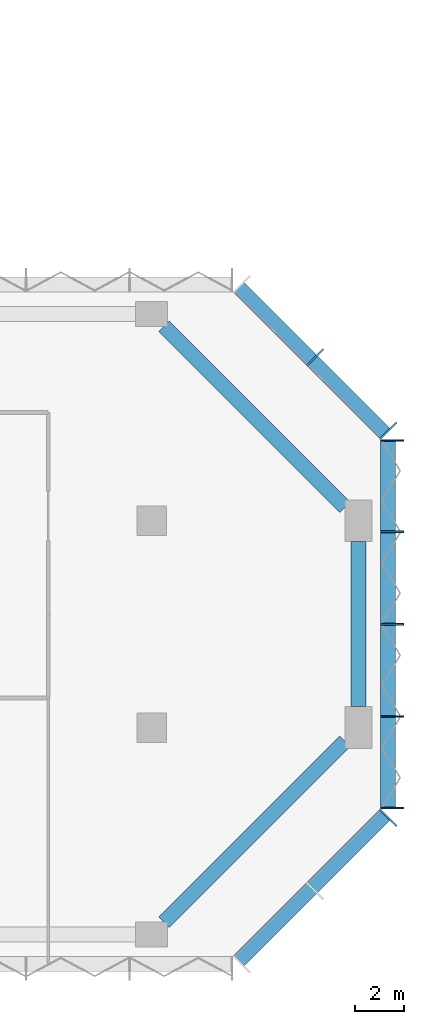
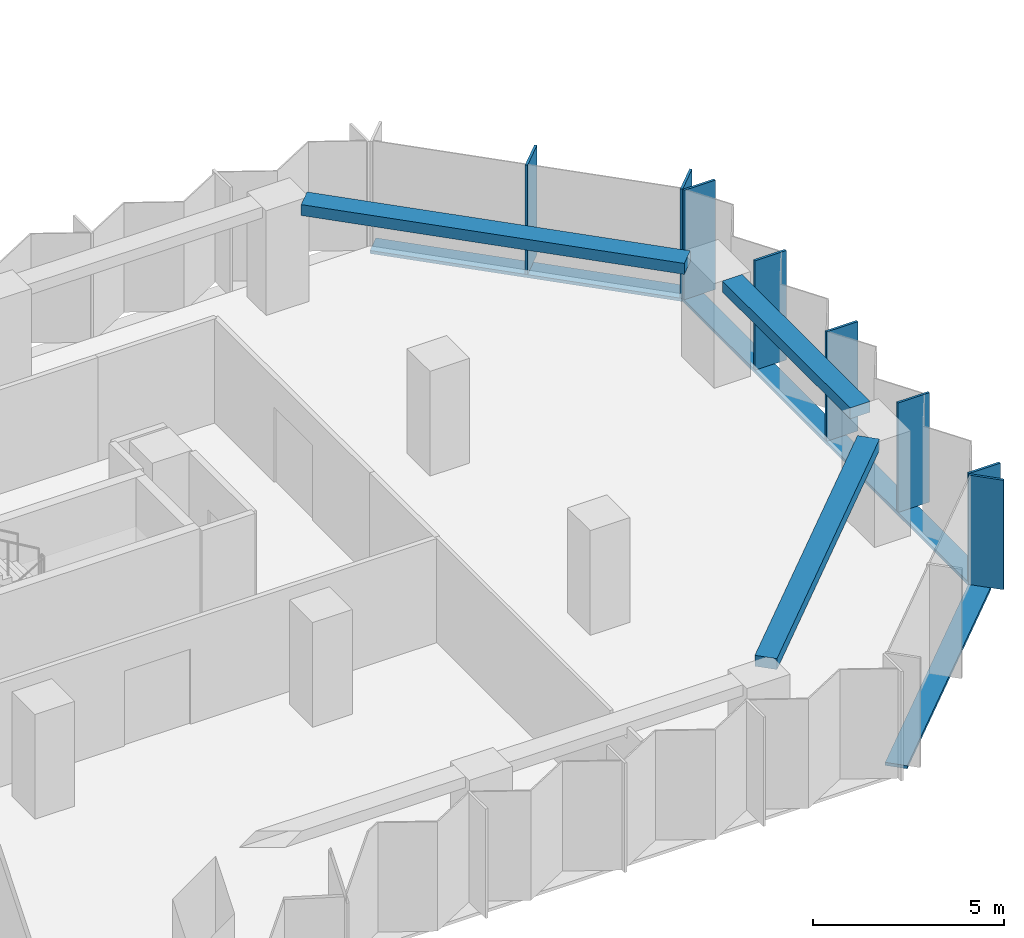
# One storey, part 4 of 13: 11 members, 3 beams, 3 elements without a shape of their own.
"""IFC4 building model written with IfcOpenShell, lengths in metres."""

from ifc_helpers import new_model, si_unit, direction, frame, origin, origin_2d, place, context, subcontext, project, spatial, rectangle, extrude, material, material_profile, profile_set, type_object, element, aggregate, save


model = new_model("IFC4")

# Units and contexts
model_context = context("Model", 3, precision=1e-05, world=origin(), true_north=direction((0.0, 1.0)))
body_context = subcontext(model_context, "Body", "Model", "MODEL_VIEW")
ifc_project = project(units=[si_unit("LENGTHUNIT", "METRE"), si_unit("AREAUNIT", "SQUARE_METRE"), si_unit("VOLUMEUNIT", "CUBIC_METRE"), si_unit("PLANEANGLEUNIT", "RADIAN"), si_unit("MASSUNIT", "GRAM", prefix="KILO")], contexts=[model_context])

# Site, building, storey
site_placement = place(None, origin())
site = spatial("IfcSite", under=ifc_project, at=site_placement, CompositionType="ELEMENT")
building_placement = place(site_placement, origin())
building = spatial("IfcBuilding", under=site, at=building_placement, Name="Brevane Broadcast Tower", CompositionType="ELEMENT")
storey_placement = place(building_placement, frame((0.0, 0.0, 98.89990234375)))
storey = spatial("IfcBuildingStorey", under=building, at=storey_placement, Name="L23", CompositionType="ELEMENT", Elevation=98.89990234375)

# Curtain wall, member
ifc_material_1 = material(Name="Aluminium 6063-T6 bronze anodised", Category="aluminium")
curtain_wall_type = type_object("IfcCurtainWallType", Name="CW-1 curtain wall", PredefinedType="NOTDEFINED", material=ifc_material_1)
curtain_wall_1_placement = place(storey_placement, origin())
curtain_wall_1 = element("IfcCurtainWall", 1, at=curtain_wall_1_placement, inside=storey, type_object=curtain_wall_type, Name="CW-1 typical tilted unit L23 south-east chamfer", PredefinedType="NOTDEFINED")
ifc_material_profile_1 = material_profile(ifc_material_1, rectangle(XDim=0.949951171875, YDim=0.070068359375, at=origin_2d()), Name="RECT 70x950")
ifc_profile_set_1 = profile_set([ifc_material_profile_1], Name="Aluminium 6063-T6 bronze anodised")
member_type_1 = type_object("IfcMemberType", Name="CW-1 mullion 70x950", PredefinedType="MULLION", material=ifc_profile_set_1)
member_1_placement = place(storey_placement, frame((68.4111328125, 4.7392578125, -0.14990234375), z_axis=(0.0, 0.0, 1.0), x_axis=(-0.707106781187, 0.707106781187, 0.0)))
member_1 = element("IfcMember", 2, at=member_1_placement, type_object=member_type_1, Name="CW-1 mullion", PredefinedType="MULLION", context=body_context, shape_type="SweptSolid", body=[
    extrude(rectangle(XDim=0.949951171875, YDim=0.070068359375, at=origin_2d()), origin(), (0.0, 0.0, 1.0), 3.5),
])

# Curtain wall, members
curtain_wall_2_placement = place(storey_placement, origin())
curtain_wall_2 = element("IfcCurtainWall", 3, at=curtain_wall_2_placement, inside=storey, type_object=curtain_wall_type, Name="CW-1 typical tilted unit L23 east end", PredefinedType="NOTDEFINED")
member_2_placement = place(storey_placement, frame((68.574951171875, 5.135009765625, -0.14990234375), z_axis=(0.0, 0.0, 1.0), x_axis=(-1.0, 0.0, 0.0)))
member_2 = element("IfcMember", 4, at=member_2_placement, type_object=member_type_1, Name="CW-1 mullion", PredefinedType="MULLION", context=body_context, shape_type="SweptSolid", body=[
    extrude(rectangle(XDim=0.949951171875, YDim=0.070068359375, at=origin_2d()), origin(), (0.0, 0.0, 1.0), 3.5),
])
member_3_placement = place(storey_placement, frame((68.574951171875, 8.85009765625, -0.14990234375), z_axis=(0.0, 0.0, 1.0), x_axis=(-1.0, 0.0, 0.0)))
member_3 = element("IfcMember", 5, at=member_3_placement, type_object=member_type_1, Name="CW-1 mullion", PredefinedType="MULLION", context=body_context, shape_type="SweptSolid", body=[
    extrude(rectangle(XDim=0.949951171875, YDim=0.070068359375, at=origin_2d()), origin(), (0.0, 0.0, 1.0), 3.5),
])
member_4_placement = place(storey_placement, frame((68.574951171875, 12.60009765625, -0.14990234375), z_axis=(0.0, 0.0, 1.0), x_axis=(-1.0, 0.0, 0.0)))
member_4 = element("IfcMember", 6, at=member_4_placement, type_object=member_type_1, Name="CW-1 mullion", PredefinedType="MULLION", context=body_context, shape_type="SweptSolid", body=[
    extrude(rectangle(XDim=0.949951171875, YDim=0.070068359375, at=origin_2d()), origin(), (0.0, 0.0, 1.0), 3.5),
])
member_5_placement = place(storey_placement, frame((68.574951171875, 16.35009765625, -0.14990234375), z_axis=(0.0, 0.0, 1.0), x_axis=(-1.0, 0.0, 0.0)))
member_5 = element("IfcMember", 7, at=member_5_placement, type_object=member_type_1, Name="CW-1 mullion", PredefinedType="MULLION", context=body_context, shape_type="SweptSolid", body=[
    extrude(rectangle(XDim=0.949951171875, YDim=0.070068359375, at=origin_2d()), origin(), (0.0, 0.0, 1.0), 3.5),
])
member_6_placement = place(storey_placement, frame((68.574951171875, 20.06494140625, -0.14990234375), z_axis=(0.0, 0.0, 1.0), x_axis=(-1.0, 0.0, 0.0)))
member_6 = element("IfcMember", 8, at=member_6_placement, type_object=member_type_1, Name="CW-1 mullion", PredefinedType="MULLION", context=body_context, shape_type="SweptSolid", body=[
    extrude(rectangle(XDim=0.949951171875, YDim=0.070068359375, at=origin_2d()), origin(), (0.0, 0.0, 1.0), 3.5),
])

curtain_wall_3_placement = place(storey_placement, origin())
curtain_wall_3 = element("IfcCurtainWall", 9, at=curtain_wall_3_placement, inside=storey, type_object=curtain_wall_type, Name="CW-1 typical tilted unit L23 north-east chamfer", PredefinedType="NOTDEFINED")
member_7_placement = place(storey_placement, frame((68.4111328125, 20.460693359375, -0.14990234375), z_axis=(0.0, 0.0, 1.0), x_axis=(-0.707106781187, -0.707106781187, 0.0)))
member_7 = element("IfcMember", 10, at=member_7_placement, type_object=member_type_1, Name="CW-1 mullion", PredefinedType="MULLION", context=body_context, shape_type="SweptSolid", body=[
    extrude(rectangle(XDim=0.949951171875, YDim=0.070068359375, at=origin_2d()), origin(), (0.0, 0.0, 1.0), 3.5),
])
member_8_placement = place(storey_placement, frame((65.435791015625, 23.435791015625, -0.14990234375), z_axis=(0.0, 0.0, 1.0), x_axis=(-0.707106781187, -0.707106781187, 0.0)))
member_8 = element("IfcMember", 11, at=member_8_placement, type_object=member_type_1, Name="CW-1 mullion", PredefinedType="MULLION", context=body_context, shape_type="SweptSolid", body=[
    extrude(rectangle(XDim=0.949951171875, YDim=0.070068359375, at=origin_2d()), origin(), (0.0, 0.0, 1.0), 3.5),
])

# Member
ifc_material_profile_2 = material_profile(ifc_material_1, rectangle(XDim=0.60009765625, YDim=0.10009765625, at=origin_2d()), Name="RECT 100x600")
ifc_profile_set_2 = profile_set([ifc_material_profile_2], Name="Aluminium 6063-T6 bronze anodised")
member_type_2 = type_object("IfcMemberType", Name="CW-1 transom 100x600", PredefinedType="USERDEFINED", material=ifc_profile_set_2)
member_9_placement = place(storey_placement, frame((62.31201171875, -1.112060546875, -0.199951171875), z_axis=(0.707106781187, 0.707106781187, 0.0), x_axis=(-0.707106781187, 0.707106781187, 0.0)))
member_9 = element("IfcMember", 12, at=member_9_placement, type_object=member_type_2, Name="CW-1 transom", ObjectType="TRANSOM", PredefinedType="USERDEFINED", context=body_context, shape_type="SweptSolid", body=[
    extrude(rectangle(XDim=0.60009765625, YDim=0.10009765625, at=origin_2d()), origin(), (0.0, 0.0, 1.0), 8.4853515625),
])

aggregate(curtain_wall_1, [member_1, member_9])

member_10_placement = place(storey_placement, frame((68.39990234375, 5.10009765625, -0.199951171875), z_axis=(0.0, 1.0, 0.0), x_axis=(-1.0, 0.0, 0.0)))
member_10 = element("IfcMember", 13, at=member_10_placement, type_object=member_type_2, Name="CW-1 transom", ObjectType="TRANSOM", PredefinedType="USERDEFINED", context=body_context, shape_type="SweptSolid", body=[
    extrude(rectangle(XDim=0.60009765625, YDim=0.10009765625, at=origin_2d()), origin(), (0.0, 0.0, 1.0), 15.0),
])

aggregate(curtain_wall_2, [member_2, member_3, member_4, member_5, member_6, member_10])

member_11_placement = place(storey_placement, frame((68.31201171875, 20.31201171875, -0.199951171875), z_axis=(-0.707106781187, 0.707106781187, 0.0), x_axis=(-0.707106781187, -0.707106781187, 0.0)))
member_11 = element("IfcMember", 14, at=member_11_placement, type_object=member_type_2, Name="CW-1 transom", ObjectType="TRANSOM", PredefinedType="USERDEFINED", context=body_context, shape_type="SweptSolid", body=[
    extrude(rectangle(XDim=0.60009765625, YDim=0.10009765625, at=origin_2d()), origin(), (0.0, 0.0, 1.0), 8.4853515625),
])

aggregate(curtain_wall_3, [member_7, member_8, member_11])

# Beams
ifc_material_2 = material(Name="Concrete C40/50", Category="concrete")
ifc_material_profile_3 = material_profile(ifc_material_2, rectangle(XDim=0.60009765625, YDim=0.35009765625, at=origin_2d()), Name="RC 600x350")
ifc_profile_set_3 = profile_set([ifc_material_profile_3], Name="Concrete C40/50")
beam_type = type_object("IfcBeamType", Name="RC SPANDREL BEAM 600x350 C40/50", PredefinedType="SPANDREL", material=ifc_profile_set_3)
beam_1_placement = place(storey_placement, frame((59.300048828125, 0.5, 3.175048828125), z_axis=(0.707095037275, 0.707118524903, 0.0), x_axis=(-0.707118524903, 0.707095037275, 0.0)))
element("IfcBeam", 15, at=beam_1_placement, inside=storey, type_object=beam_type, Name="EB1 L23-5", PredefinedType="SPANDREL", context=body_context, shape_type="SweptSolid", body=[
    extrude(rectangle(XDim=0.60009765625, YDim=0.35009765625, at=origin_2d()), origin(), (0.0, 0.0, 1.0), 10.39453125),
])
beam_2_placement = place(storey_placement, frame((67.199951171875, 9.25, 3.175048828125), z_axis=(0.0, 1.0, 0.0), x_axis=(-1.0, 0.0, 0.0)))
element("IfcBeam", 16, at=beam_2_placement, inside=storey, type_object=beam_type, Name="EB1 L23-6", PredefinedType="SPANDREL", context=body_context, shape_type="SweptSolid", body=[
    extrude(rectangle(XDim=0.60009765625, YDim=0.35009765625, at=origin_2d()), origin(), (0.0, 0.0, 1.0), 6.699951171875),
])
beam_3_placement = place(storey_placement, frame((66.64990234375, 17.35009765625, 3.175048828125), z_axis=(-0.707106781187, 0.707106781187, 0.0), x_axis=(-0.707106781187, -0.707106781187, 0.0)))
element("IfcBeam", 17, at=beam_3_placement, inside=storey, type_object=beam_type, Name="EB1 L23-7", PredefinedType="SPANDREL", context=body_context, shape_type="SweptSolid", body=[
    extrude(rectangle(XDim=0.60009765625, YDim=0.35009765625, at=origin_2d()), origin(), (0.0, 0.0, 1.0), 10.394287109375),
])

save(model, "model.ifc")
